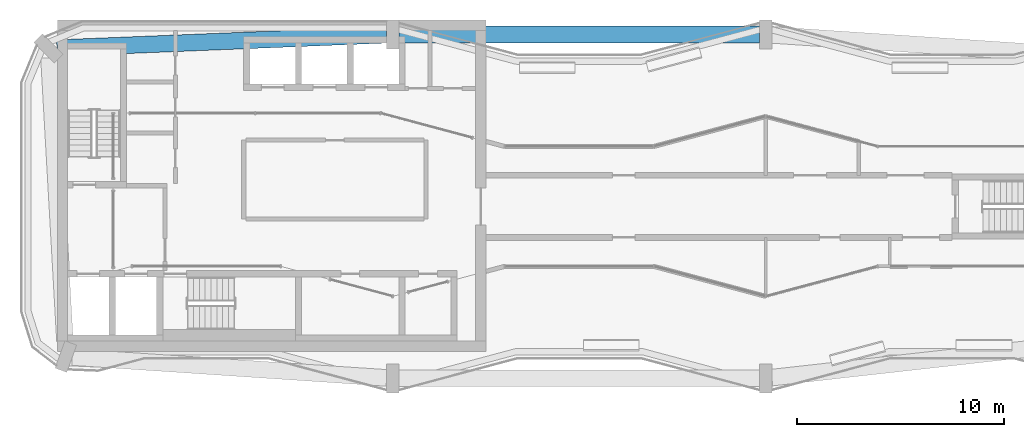
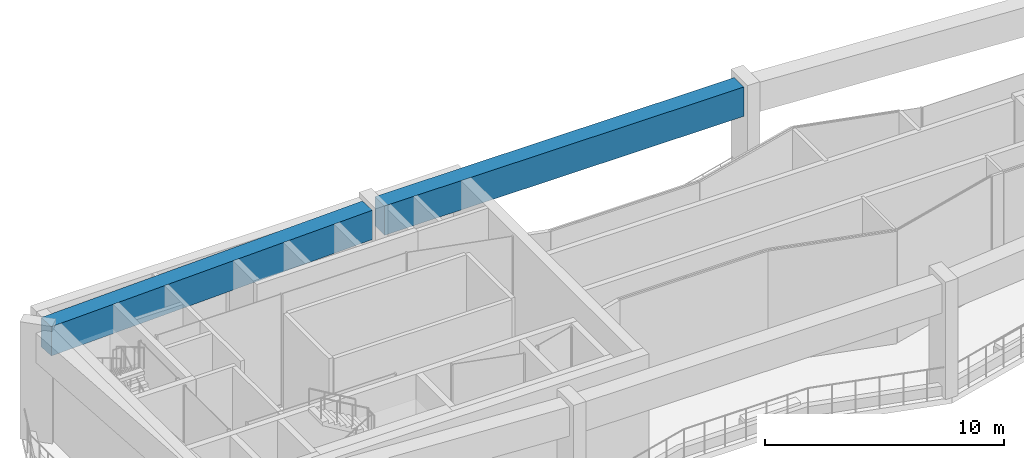
# One storey, part 4 of 12: 2 beams.
"""IFC4 building model written with IfcOpenShell, lengths in metres."""

from ifc_helpers import new_model, si_unit, direction, frame, origin, origin_2d, place, context, subcontext, project, spatial, rectangle, extrude, material, material_profile, profile_set, type_object, element, save


model = new_model("IFC4")

# Units and contexts
model_context = context("Model", 3, precision=1e-05, world=origin(), true_north=direction((0.0, 1.0)))
body_context = subcontext(model_context, "Body", "Model", "MODEL_VIEW")
ifc_project = project(units=[si_unit("LENGTHUNIT", "METRE"), si_unit("AREAUNIT", "SQUARE_METRE"), si_unit("VOLUMEUNIT", "CUBIC_METRE"), si_unit("PLANEANGLEUNIT", "RADIAN"), si_unit("MASSUNIT", "GRAM", prefix="KILO")], contexts=[model_context])

# Site, building, storey
site_placement = place(None, origin())
site = spatial("IfcSite", under=ifc_project, at=site_placement, CompositionType="ELEMENT")
building_placement = place(site_placement, origin())
building = spatial("IfcBuilding", under=site, at=building_placement, Name="Plateau Cross Towers", CompositionType="ELEMENT")
storey_placement = place(building_placement, frame((0.0, 0.0, 236.39990234375)))
storey = spatial("IfcBuildingStorey", under=building, at=storey_placement, Name="L62", CompositionType="ELEMENT", Elevation=236.39990234375)

# Beams
ifc_material = material(Name="Concrete C60/75", Category="concrete")
ifc_material_profile = material_profile(ifc_material, rectangle(XDim=0.800048828125, YDim=1.5, at=origin_2d()), Name="RC 800x1500")
ifc_profile_set = profile_set([ifc_material_profile], Name="Concrete C60/75")
beam_type = type_object("IfcBeamType", Name="Belt beam RC 800x1500", PredefinedType="BEAM", material=ifc_profile_set)
beam_1_placement = place(storey_placement, frame((35.699951171875, 17.300048828125, 5.0), z_axis=(-1.0, 0.0, 0.0), x_axis=(0.0, -1.0, 0.0)))
element("IfcBeam", 1, at=beam_1_placement, inside=storey, type_object=beam_type, Name="BELT-L62-05", PredefinedType="BEAM", context=body_context, shape_type="SweptSolid", body=[
    extrude(rectangle(XDim=0.800048828125, YDim=1.5, at=origin_2d()), origin(), (0.0, 0.0, 1.0), 17.39990234375),
])
beam_2_placement = place(storey_placement, frame((17.699951171875, 17.287841796875, 5.0), z_axis=(-0.999180065047, -0.040487005488, 0.0), x_axis=(0.040487005488, -0.999180065047, 0.0)))
element("IfcBeam", 2, at=beam_2_placement, inside=storey, type_object=beam_type, Name="BELT-L62-06", PredefinedType="BEAM", context=body_context, shape_type="SweptSolid", body=[
    extrude(rectangle(XDim=0.800048828125, YDim=1.5, at=origin_2d()), origin(), (0.0, 0.0, 1.0), 15.931640625),
])

save(model, "model.ifc")
